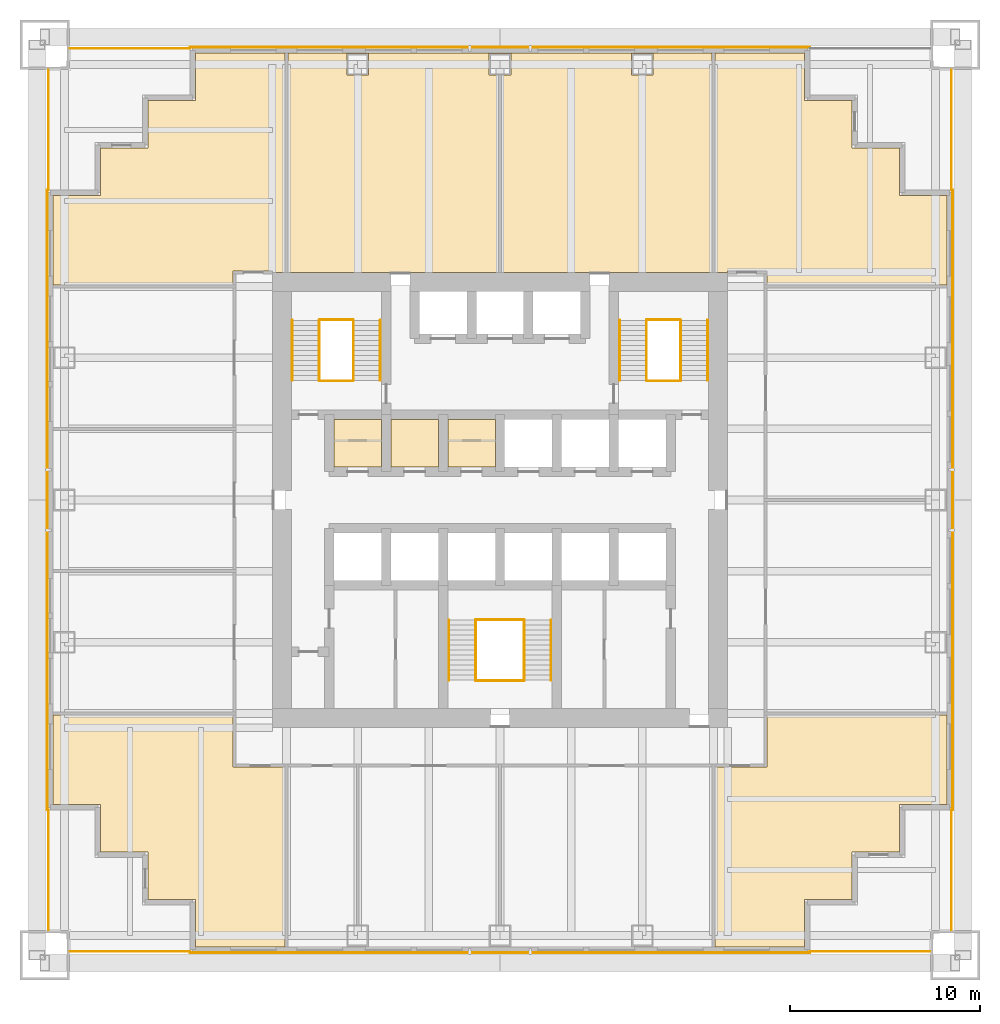
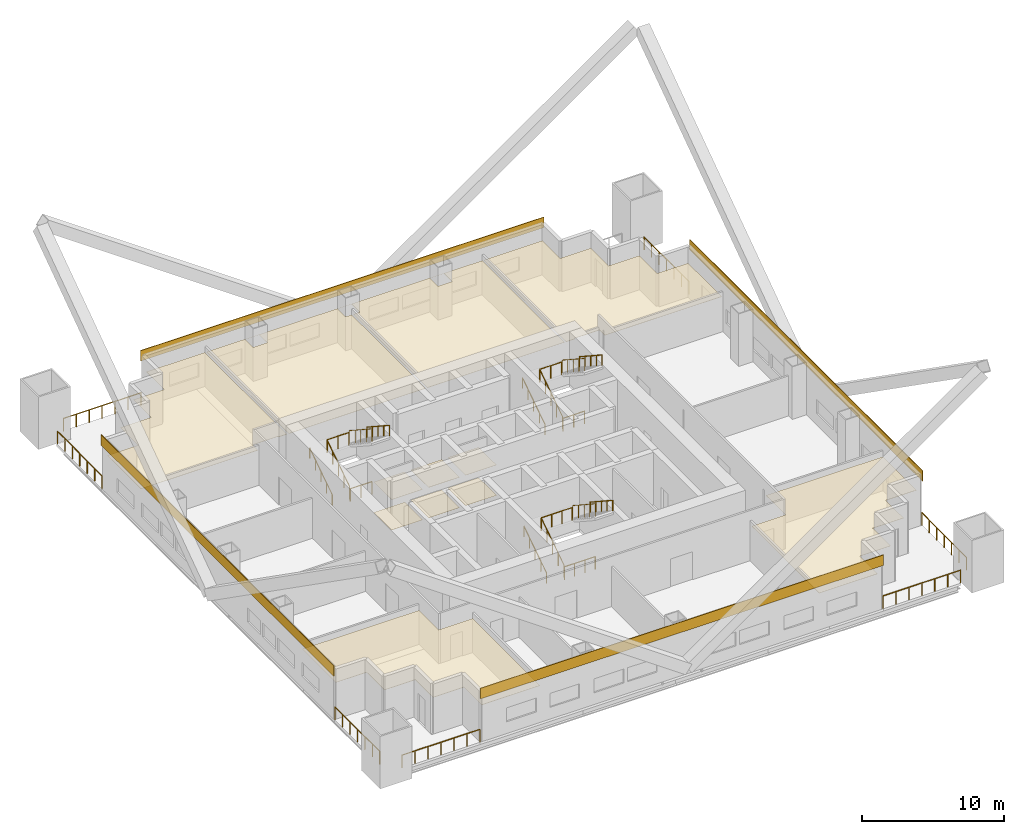
# One storey, part 6 of 7: 25 railings, 16 coverings.
"""IFC4 building model written with IfcOpenShell, lengths in metres."""

from ifc_helpers import new_model, si_unit, direction, frame, origin, origin_2d, place, context, subcontext, project, spatial, polyline, rectangle, circle, outline, extrude, material, layer, layer_set, type_object, element, save


model = new_model("IFC4")

# Units and contexts
model_context = context("Model", 3, precision=1e-05, world=origin(), true_north=direction((0.0, 1.0)))
body_context = subcontext(model_context, "Body", "Model", "MODEL_VIEW")
ifc_project = project(units=[si_unit("LENGTHUNIT", "METRE"), si_unit("AREAUNIT", "SQUARE_METRE"), si_unit("VOLUMEUNIT", "CUBIC_METRE"), si_unit("PLANEANGLEUNIT", "RADIAN"), si_unit("MASSUNIT", "GRAM", prefix="KILO")], contexts=[model_context])

# Site, building, storey
site_placement = place(None, origin())
site = spatial("IfcSite", under=ifc_project, at=site_placement, CompositionType="ELEMENT")
building_placement = place(site_placement, origin())
building = spatial("IfcBuilding", under=site, at=building_placement, Name="Tarangal Relay Tower", CompositionType="ELEMENT")
storey_placement = place(building_placement, frame((0.0, 0.0, 153.89990234375)))
storey = spatial("IfcBuildingStorey", under=building, at=storey_placement, Name="L31", CompositionType="ELEMENT", Elevation=153.89990234375)

# Coverings
ifc_material_1 = material(Name="Anti-static vinyl flooring", Category="plastic")
ifc_layer_1 = layer(ifc_material_1, 0.010009765625)
ifc_layer_set_1 = layer_set([ifc_layer_1], Name="Anti-static vinyl floor")
covering_type_1 = type_object("IfcCoveringType", Name="Anti-static vinyl floor", PredefinedType="FLOORING", material=ifc_layer_set_1)
covering_1_placement = place(storey_placement, origin())
element("IfcCovering", 1, at=covering_1_placement, inside=storey, type_object=covering_type_1, Name="Floor finish FL1 L31-D1", PredefinedType="FLOORING", context=body_context, shape_type="SweptSolid", body=[
    extrude(outline(polyline([(-8.75, 1.75), (-6.25, 1.75), (-6.25, 4.25), (-8.75, 4.25), (-8.75, 1.75)])), origin(), (0.0, 0.0, 1.0), 0.010009765625),
])
covering_2_placement = place(storey_placement, origin())
element("IfcCovering", 2, at=covering_2_placement, inside=storey, type_object=covering_type_1, Name="Floor finish FL1 L31-D2", PredefinedType="FLOORING", context=body_context, shape_type="SweptSolid", body=[
    extrude(outline(polyline([(-5.75, 1.75), (-3.25, 1.75), (-3.25, 4.25), (-5.75, 4.25), (-5.75, 1.75)])), origin(), (0.0, 0.0, 1.0), 0.010009765625),
])
covering_3_placement = place(storey_placement, origin())
element("IfcCovering", 3, at=covering_3_placement, inside=storey, type_object=covering_type_1, Name="Floor finish FL1 L31-D3", PredefinedType="FLOORING", context=body_context, shape_type="SweptSolid", body=[
    extrude(outline(polyline([(-2.75, 1.75), (-0.25, 1.75), (-0.25, 4.25), (-2.75, 4.25), (-2.75, 1.75)])), origin(), (0.0, 0.0, 1.0), 0.010009765625),
])
ifc_material_2 = material(Name="Black anodised aluminium cladding", Category="aluminium")
ifc_layer_2 = layer(ifc_material_2, 0.050048828125)
ifc_layer_set_2 = layer_set([ifc_layer_2], Name="Black metal spandrel band")
covering_type_2 = type_object("IfcCoveringType", Name="Black metal spandrel band", PredefinedType="CLADDING", material=ifc_layer_set_2)
for number, where, z_axis, x_axis, name in (
    (4, (0.0, 23.875, 3.750244140625), (0.0, 0.0, 1.0), (1.0, 0.0, 0.0), "Spandrel band SB1 N L31"),
    (5, (23.875, 0.0, 3.750244140625), (0.0, 0.0, 1.0), (0.0, -1.0, 0.0), "Spandrel band SB1 E L31"),
    (6, (0.0, -23.875, 3.750244140625), (0.0, 0.0, 1.0), (-1.0, 0.0, 0.0), "Spandrel band SB1 S L31"),
    (7, (-23.875, 0.0, 3.750244140625), (0.0, 0.0, 1.0), (0.0, 1.0, 0.0), "Spandrel band SB1 W L31"),
):
    element("IfcCovering", number, at=place(storey_placement, frame(where, z_axis=z_axis, x_axis=x_axis)), inside=storey, type_object=covering_type_2, Name=name, PredefinedType="CLADDING", context=body_context, shape_type="SweptSolid", body=[
        extrude(rectangle(XDim=32.699951171875, YDim=0.050048828125, at=origin_2d()), origin(), (0.0, 0.0, 1.0), 0.89990234375),
    ])

# Railings
ifc_material_3 = material(Name="Steel guard, black finish", Category="steel")
railing_type_1 = type_object("IfcRailingType", Name="Stair guard 1100", PredefinedType="GUARDRAIL", material=ifc_material_3)
railing_1_placement = place(storey_placement, frame((-9.530029296875, 6.300048828125, 0.173095703125)))
element("IfcRailing", 8, at=railing_1_placement, inside=storey, type_object=railing_type_1, Name="Stair ST-A guard GR1 L31 flight 1", PredefinedType="GUARDRAIL", context=body_context, shape_type="SweptSolid", body=[
    extrude(circle(Radius=0.02392578125, at=origin_2d()), frame((0.0, 0.0, 1.076171875), z_axis=(0.0, 0.83629911093, 0.548273469226), x_axis=(-1.0, 0.0, 0.0)), (0.0, 0.0, 1.0), 3.7880859375),
    extrude(circle(Radius=0.02099609375, at=origin_2d()), origin(), (0.0, 0.0, 1.0), 1.052001953125),
    extrude(circle(Radius=0.02099609375, at=origin_2d()), frame((0.0, 0.7919921875, 0.519287109375)), (0.0, 0.0, 1.0), 1.052001953125),
    extrude(circle(Radius=0.02099609375, at=origin_2d()), frame((0.0, 1.583984375, 1.03857421875)), (0.0, 0.0, 1.0), 1.052001953125),
    extrude(circle(Radius=0.02099609375, at=origin_2d()), frame((0.0, 2.3759765625, 1.5576171875)), (0.0, 0.0, 1.0), 1.052001953125),
    extrude(circle(Radius=0.02099609375, at=origin_2d()), frame((0.0, 3.16796875, 2.076904296875)), (0.0, 0.0, 1.0), 1.052001953125),
])
railing_2_placement = place(storey_placement, frame((-7.719970703125, 9.468017578125, 2.423095703125)))
element("IfcRailing", 9, at=railing_2_placement, inside=storey, type_object=railing_type_1, Name="Stair ST-A guard GR1 L31 flight 2", PredefinedType="GUARDRAIL", context=body_context, shape_type="SweptSolid", body=[
    extrude(circle(Radius=0.02392578125, at=origin_2d()), frame((0.0, 0.0, 1.076171875), z_axis=(0.0, -0.83629911093, 0.548273469226), x_axis=(1.0, 0.0, 0.0)), (0.0, 0.0, 1.0), 3.7880859375),
    extrude(circle(Radius=0.02099609375, at=origin_2d()), origin(), (0.0, 0.0, 1.0), 1.052001953125),
    extrude(circle(Radius=0.02099609375, at=origin_2d()), frame((0.0, -0.7919921875, 0.519287109375)), (0.0, 0.0, 1.0), 1.052001953125),
    extrude(circle(Radius=0.02099609375, at=origin_2d()), frame((0.0, -1.583984375, 1.03857421875)), (0.0, 0.0, 1.0), 1.052001953125),
    extrude(circle(Radius=0.02099609375, at=origin_2d()), frame((0.0, -2.3759765625, 1.5576171875)), (0.0, 0.0, 1.0), 1.052001953125),
    extrude(circle(Radius=0.02099609375, at=origin_2d()), frame((0.0, -3.16796875, 2.076904296875)), (0.0, 0.0, 1.0), 1.052001953125),
])
for number, where, name in (
    (10, (-9.5, 6.27001953125, 0.0), "Stair ST-A landing guard GR1 L31"),
    (11, (-9.5, 9.498046875, 2.25), "Stair ST-A landing guard GR1 L31"),
):
    element("IfcRailing", number, at=place(storey_placement, frame(where)), inside=storey, type_object=railing_type_1, Name=name, PredefinedType="GUARDRAIL", context=body_context, shape_type="SweptSolid", body=[
        extrude(circle(Radius=0.02392578125, at=origin_2d()), frame((0.0, 0.0, 1.076171875), z_axis=(1.0, 0.0, 0.0), x_axis=(0.0, 1.0, 0.0)), (0.0, 0.0, 1.0), 1.75),
        extrude(circle(Radius=0.02099609375, at=origin_2d()), origin(), (0.0, 0.0, 1.0), 1.052001953125),
        extrude(circle(Radius=0.02099609375, at=origin_2d()), frame((0.875, 0.0, 0.0)), (0.0, 0.0, 1.0), 1.052001953125),
        extrude(circle(Radius=0.02099609375, at=origin_2d()), frame((1.75, 0.0, 0.0)), (0.0, 0.0, 1.0), 1.052001953125),
    ])
railing_3_placement = place(storey_placement, frame((7.719970703125, 6.300048828125, 0.173095703125)))
element("IfcRailing", 12, at=railing_3_placement, inside=storey, type_object=railing_type_1, Name="Stair ST-B guard GR1 L31 flight 1", PredefinedType="GUARDRAIL", context=body_context, shape_type="SweptSolid", body=[
    extrude(circle(Radius=0.02392578125, at=origin_2d()), frame((0.0, 0.0, 1.076171875), z_axis=(0.0, 0.83629911093, 0.548273469226), x_axis=(-1.0, 0.0, 0.0)), (0.0, 0.0, 1.0), 3.7880859375),
    extrude(circle(Radius=0.02099609375, at=origin_2d()), origin(), (0.0, 0.0, 1.0), 1.052001953125),
    extrude(circle(Radius=0.02099609375, at=origin_2d()), frame((0.0, 0.7919921875, 0.519287109375)), (0.0, 0.0, 1.0), 1.052001953125),
    extrude(circle(Radius=0.02099609375, at=origin_2d()), frame((0.0, 1.583984375, 1.03857421875)), (0.0, 0.0, 1.0), 1.052001953125),
    extrude(circle(Radius=0.02099609375, at=origin_2d()), frame((0.0, 2.3759765625, 1.5576171875)), (0.0, 0.0, 1.0), 1.052001953125),
    extrude(circle(Radius=0.02099609375, at=origin_2d()), frame((0.0, 3.16796875, 2.076904296875)), (0.0, 0.0, 1.0), 1.052001953125),
])
railing_4_placement = place(storey_placement, frame((9.530029296875, 9.468017578125, 2.423095703125)))
element("IfcRailing", 13, at=railing_4_placement, inside=storey, type_object=railing_type_1, Name="Stair ST-B guard GR1 L31 flight 2", PredefinedType="GUARDRAIL", context=body_context, shape_type="SweptSolid", body=[
    extrude(circle(Radius=0.02392578125, at=origin_2d()), frame((0.0, 0.0, 1.076171875), z_axis=(0.0, -0.83629911093, 0.548273469226), x_axis=(1.0, 0.0, 0.0)), (0.0, 0.0, 1.0), 3.7880859375),
    extrude(circle(Radius=0.02099609375, at=origin_2d()), origin(), (0.0, 0.0, 1.0), 1.052001953125),
    extrude(circle(Radius=0.02099609375, at=origin_2d()), frame((0.0, -0.7919921875, 0.519287109375)), (0.0, 0.0, 1.0), 1.052001953125),
    extrude(circle(Radius=0.02099609375, at=origin_2d()), frame((0.0, -1.583984375, 1.03857421875)), (0.0, 0.0, 1.0), 1.052001953125),
    extrude(circle(Radius=0.02099609375, at=origin_2d()), frame((0.0, -2.3759765625, 1.5576171875)), (0.0, 0.0, 1.0), 1.052001953125),
    extrude(circle(Radius=0.02099609375, at=origin_2d()), frame((0.0, -3.16796875, 2.076904296875)), (0.0, 0.0, 1.0), 1.052001953125),
])
for number, where, name in (
    (14, (7.75, 6.27001953125, 0.0), "Stair ST-B landing guard GR1 L31"),
    (15, (7.75, 9.498046875, 2.25), "Stair ST-B landing guard GR1 L31"),
):
    element("IfcRailing", number, at=place(storey_placement, frame(where)), inside=storey, type_object=railing_type_1, Name=name, PredefinedType="GUARDRAIL", context=body_context, shape_type="SweptSolid", body=[
        extrude(circle(Radius=0.02392578125, at=origin_2d()), frame((0.0, 0.0, 1.076171875), z_axis=(1.0, 0.0, 0.0), x_axis=(0.0, 1.0, 0.0)), (0.0, 0.0, 1.0), 1.75),
        extrude(circle(Radius=0.02099609375, at=origin_2d()), origin(), (0.0, 0.0, 1.0), 1.052001953125),
        extrude(circle(Radius=0.02099609375, at=origin_2d()), frame((0.875, 0.0, 0.0)), (0.0, 0.0, 1.0), 1.052001953125),
        extrude(circle(Radius=0.02099609375, at=origin_2d()), frame((1.75, 0.0, 0.0)), (0.0, 0.0, 1.0), 1.052001953125),
    ])
railing_5_placement = place(storey_placement, frame((-1.280029296875, -9.5, 0.173095703125)))
element("IfcRailing", 16, at=railing_5_placement, inside=storey, type_object=railing_type_1, Name="Stair ST-C guard GR1 L31 flight 1", PredefinedType="GUARDRAIL", context=body_context, shape_type="SweptSolid", body=[
    extrude(circle(Radius=0.02392578125, at=origin_2d()), frame((0.0, 0.0, 1.076171875), z_axis=(0.0, 0.83629911093, 0.548273469226), x_axis=(-1.0, 0.0, 0.0)), (0.0, 0.0, 1.0), 3.7880859375),
    extrude(circle(Radius=0.02099609375, at=origin_2d()), origin(), (0.0, 0.0, 1.0), 1.052001953125),
    extrude(circle(Radius=0.02099609375, at=origin_2d()), frame((0.0, 0.7919921875, 0.519287109375)), (0.0, 0.0, 1.0), 1.052001953125),
    extrude(circle(Radius=0.02099609375, at=origin_2d()), frame((0.0, 1.583984375, 1.03857421875)), (0.0, 0.0, 1.0), 1.052001953125),
    extrude(circle(Radius=0.02099609375, at=origin_2d()), frame((0.0, 2.3759765625, 1.5576171875)), (0.0, 0.0, 1.0), 1.052001953125),
    extrude(circle(Radius=0.02099609375, at=origin_2d()), frame((0.0, 3.16796875, 2.076904296875)), (0.0, 0.0, 1.0), 1.052001953125),
])
railing_6_placement = place(storey_placement, frame((1.280029296875, -6.33203125, 2.423095703125)))
element("IfcRailing", 17, at=railing_6_placement, inside=storey, type_object=railing_type_1, Name="Stair ST-C guard GR1 L31 flight 2", PredefinedType="GUARDRAIL", context=body_context, shape_type="SweptSolid", body=[
    extrude(circle(Radius=0.02392578125, at=origin_2d()), frame((0.0, 0.0, 1.076171875), z_axis=(0.0, -0.83629911093, 0.548273469226), x_axis=(1.0, 0.0, 0.0)), (0.0, 0.0, 1.0), 3.7880859375),
    extrude(circle(Radius=0.02099609375, at=origin_2d()), origin(), (0.0, 0.0, 1.0), 1.052001953125),
    extrude(circle(Radius=0.02099609375, at=origin_2d()), frame((0.0, -0.7919921875, 0.519287109375)), (0.0, 0.0, 1.0), 1.052001953125),
    extrude(circle(Radius=0.02099609375, at=origin_2d()), frame((0.0, -1.583984375, 1.03857421875)), (0.0, 0.0, 1.0), 1.052001953125),
    extrude(circle(Radius=0.02099609375, at=origin_2d()), frame((0.0, -2.3759765625, 1.5576171875)), (0.0, 0.0, 1.0), 1.052001953125),
    extrude(circle(Radius=0.02099609375, at=origin_2d()), frame((0.0, -3.16796875, 2.076904296875)), (0.0, 0.0, 1.0), 1.052001953125),
])
for number, where, name in (
    (18, (-1.25, -9.530029296875, 0.0), "Stair ST-C landing guard GR1 L31"),
    (19, (-1.25, -6.302001953125, 2.25), "Stair ST-C landing guard GR1 L31"),
):
    element("IfcRailing", number, at=place(storey_placement, frame(where)), inside=storey, type_object=railing_type_1, Name=name, PredefinedType="GUARDRAIL", context=body_context, shape_type="SweptSolid", body=[
        extrude(circle(Radius=0.02392578125, at=origin_2d()), frame((0.0, 0.0, 1.076171875), z_axis=(1.0, 0.0, 0.0), x_axis=(0.0, 1.0, 0.0)), (0.0, 0.0, 1.0), 2.5),
        extrude(circle(Radius=0.02099609375, at=origin_2d()), origin(), (0.0, 0.0, 1.0), 1.052001953125),
        extrude(circle(Radius=0.02099609375, at=origin_2d()), frame((0.833251953125, 0.0, 0.0)), (0.0, 0.0, 1.0), 1.052001953125),
        extrude(circle(Radius=0.02099609375, at=origin_2d()), frame((1.666748046875, 0.0, 0.0)), (0.0, 0.0, 1.0), 1.052001953125),
        extrude(circle(Radius=0.02099609375, at=origin_2d()), frame((2.5, 0.0, 0.0)), (0.0, 0.0, 1.0), 1.052001953125),
    ])
ifc_material_4 = material(Name="Steel handrail, black finish", Category="steel")
railing_type_2 = type_object("IfcRailingType", Name="Stair handrail 900", PredefinedType="HANDRAIL", material=ifc_material_4)
railing_7_placement = place(storey_placement, frame((-10.93994140625, 6.300048828125, 0.173095703125)))
element("IfcRailing", 20, at=railing_7_placement, inside=storey, type_object=railing_type_2, Name="Stair ST-A handrail HR1 L31 flight 1", PredefinedType="HANDRAIL", context=body_context, shape_type="SweptSolid", body=[
    extrude(circle(Radius=0.02392578125, at=origin_2d()), frame((0.0, 0.0, 0.8759765625), z_axis=(0.0, 0.83629911093, 0.548273469226), x_axis=(-1.0, 0.0, 0.0)), (0.0, 0.0, 1.0), 3.7880859375),
    extrude(circle(Radius=0.02099609375, at=origin_2d()), origin(), (0.0, 0.0, 1.0), 0.851806640625),
    extrude(circle(Radius=0.02099609375, at=origin_2d()), frame((0.0, 0.7919921875, 0.519287109375)), (0.0, 0.0, 1.0), 0.851806640625),
    extrude(circle(Radius=0.02099609375, at=origin_2d()), frame((0.0, 1.583984375, 1.03857421875)), (0.0, 0.0, 1.0), 0.851806640625),
    extrude(circle(Radius=0.02099609375, at=origin_2d()), frame((0.0, 2.3759765625, 1.5576171875)), (0.0, 0.0, 1.0), 0.851806640625),
    extrude(circle(Radius=0.02099609375, at=origin_2d()), frame((0.0, 3.16796875, 2.076904296875)), (0.0, 0.0, 1.0), 0.851806640625),
])
railing_8_placement = place(storey_placement, frame((-6.31005859375, 9.468017578125, 2.423095703125)))
element("IfcRailing", 21, at=railing_8_placement, inside=storey, type_object=railing_type_2, Name="Stair ST-A handrail HR1 L31 flight 2", PredefinedType="HANDRAIL", context=body_context, shape_type="SweptSolid", body=[
    extrude(circle(Radius=0.02392578125, at=origin_2d()), frame((0.0, 0.0, 0.8759765625), z_axis=(0.0, -0.83629911093, 0.548273469226), x_axis=(1.0, 0.0, 0.0)), (0.0, 0.0, 1.0), 3.7880859375),
    extrude(circle(Radius=0.02099609375, at=origin_2d()), origin(), (0.0, 0.0, 1.0), 0.851806640625),
    extrude(circle(Radius=0.02099609375, at=origin_2d()), frame((0.0, -0.7919921875, 0.519287109375)), (0.0, 0.0, 1.0), 0.851806640625),
    extrude(circle(Radius=0.02099609375, at=origin_2d()), frame((0.0, -1.583984375, 1.03857421875)), (0.0, 0.0, 1.0), 0.851806640625),
    extrude(circle(Radius=0.02099609375, at=origin_2d()), frame((0.0, -2.3759765625, 1.5576171875)), (0.0, 0.0, 1.0), 0.851806640625),
    extrude(circle(Radius=0.02099609375, at=origin_2d()), frame((0.0, -3.16796875, 2.076904296875)), (0.0, 0.0, 1.0), 0.851806640625),
])
railing_9_placement = place(storey_placement, frame((6.31005859375, 6.300048828125, 0.173095703125)))
element("IfcRailing", 22, at=railing_9_placement, inside=storey, type_object=railing_type_2, Name="Stair ST-B handrail HR1 L31 flight 1", PredefinedType="HANDRAIL", context=body_context, shape_type="SweptSolid", body=[
    extrude(circle(Radius=0.02392578125, at=origin_2d()), frame((0.0, 0.0, 0.8759765625), z_axis=(0.0, 0.83629911093, 0.548273469226), x_axis=(-1.0, 0.0, 0.0)), (0.0, 0.0, 1.0), 3.7880859375),
    extrude(circle(Radius=0.02099609375, at=origin_2d()), origin(), (0.0, 0.0, 1.0), 0.851806640625),
    extrude(circle(Radius=0.02099609375, at=origin_2d()), frame((0.0, 0.7919921875, 0.519287109375)), (0.0, 0.0, 1.0), 0.851806640625),
    extrude(circle(Radius=0.02099609375, at=origin_2d()), frame((0.0, 1.583984375, 1.03857421875)), (0.0, 0.0, 1.0), 0.851806640625),
    extrude(circle(Radius=0.02099609375, at=origin_2d()), frame((0.0, 2.3759765625, 1.5576171875)), (0.0, 0.0, 1.0), 0.851806640625),
    extrude(circle(Radius=0.02099609375, at=origin_2d()), frame((0.0, 3.16796875, 2.076904296875)), (0.0, 0.0, 1.0), 0.851806640625),
])
railing_10_placement = place(storey_placement, frame((10.93994140625, 9.468017578125, 2.423095703125)))
element("IfcRailing", 23, at=railing_10_placement, inside=storey, type_object=railing_type_2, Name="Stair ST-B handrail HR1 L31 flight 2", PredefinedType="HANDRAIL", context=body_context, shape_type="SweptSolid", body=[
    extrude(circle(Radius=0.02392578125, at=origin_2d()), frame((0.0, 0.0, 0.8759765625), z_axis=(0.0, -0.83629911093, 0.548273469226), x_axis=(1.0, 0.0, 0.0)), (0.0, 0.0, 1.0), 3.7880859375),
    extrude(circle(Radius=0.02099609375, at=origin_2d()), origin(), (0.0, 0.0, 1.0), 0.851806640625),
    extrude(circle(Radius=0.02099609375, at=origin_2d()), frame((0.0, -0.7919921875, 0.519287109375)), (0.0, 0.0, 1.0), 0.851806640625),
    extrude(circle(Radius=0.02099609375, at=origin_2d()), frame((0.0, -1.583984375, 1.03857421875)), (0.0, 0.0, 1.0), 0.851806640625),
    extrude(circle(Radius=0.02099609375, at=origin_2d()), frame((0.0, -2.3759765625, 1.5576171875)), (0.0, 0.0, 1.0), 0.851806640625),
    extrude(circle(Radius=0.02099609375, at=origin_2d()), frame((0.0, -3.16796875, 2.076904296875)), (0.0, 0.0, 1.0), 0.851806640625),
])
railing_11_placement = place(storey_placement, frame((-2.68994140625, -9.5, 0.173095703125)))
element("IfcRailing", 24, at=railing_11_placement, inside=storey, type_object=railing_type_2, Name="Stair ST-C handrail HR1 L31 flight 1", PredefinedType="HANDRAIL", context=body_context, shape_type="SweptSolid", body=[
    extrude(circle(Radius=0.02392578125, at=origin_2d()), frame((0.0, 0.0, 0.8759765625), z_axis=(0.0, 0.83629911093, 0.548273469226), x_axis=(-1.0, 0.0, 0.0)), (0.0, 0.0, 1.0), 3.7880859375),
    extrude(circle(Radius=0.02099609375, at=origin_2d()), origin(), (0.0, 0.0, 1.0), 0.851806640625),
    extrude(circle(Radius=0.02099609375, at=origin_2d()), frame((0.0, 0.7919921875, 0.519287109375)), (0.0, 0.0, 1.0), 0.851806640625),
    extrude(circle(Radius=0.02099609375, at=origin_2d()), frame((0.0, 1.583984375, 1.03857421875)), (0.0, 0.0, 1.0), 0.851806640625),
    extrude(circle(Radius=0.02099609375, at=origin_2d()), frame((0.0, 2.3759765625, 1.5576171875)), (0.0, 0.0, 1.0), 0.851806640625),
    extrude(circle(Radius=0.02099609375, at=origin_2d()), frame((0.0, 3.16796875, 2.076904296875)), (0.0, 0.0, 1.0), 0.851806640625),
])
railing_12_placement = place(storey_placement, frame((2.68994140625, -6.33203125, 2.423095703125)))
element("IfcRailing", 25, at=railing_12_placement, inside=storey, type_object=railing_type_2, Name="Stair ST-C handrail HR1 L31 flight 2", PredefinedType="HANDRAIL", context=body_context, shape_type="SweptSolid", body=[
    extrude(circle(Radius=0.02392578125, at=origin_2d()), frame((0.0, 0.0, 0.8759765625), z_axis=(0.0, -0.83629911093, 0.548273469226), x_axis=(1.0, 0.0, 0.0)), (0.0, 0.0, 1.0), 3.7880859375),
    extrude(circle(Radius=0.02099609375, at=origin_2d()), origin(), (0.0, 0.0, 1.0), 0.851806640625),
    extrude(circle(Radius=0.02099609375, at=origin_2d()), frame((0.0, -0.7919921875, 0.519287109375)), (0.0, 0.0, 1.0), 0.851806640625),
    extrude(circle(Radius=0.02099609375, at=origin_2d()), frame((0.0, -1.583984375, 1.03857421875)), (0.0, 0.0, 1.0), 0.851806640625),
    extrude(circle(Radius=0.02099609375, at=origin_2d()), frame((0.0, -2.3759765625, 1.5576171875)), (0.0, 0.0, 1.0), 0.851806640625),
    extrude(circle(Radius=0.02099609375, at=origin_2d()), frame((0.0, -3.16796875, 2.076904296875)), (0.0, 0.0, 1.0), 0.851806640625),
])

# Coverings
ifc_material_5 = material(Name="Mineral fibre ceiling tiles", Category="gypsum")
ifc_layer_3 = layer(ifc_material_5, 0.02001953125)
ifc_layer_set_3 = layer_set([ifc_layer_3], Name="Suspended ceiling")
covering_type_3 = type_object("IfcCoveringType", Name="Suspended ceiling", PredefinedType="CEILING", material=ifc_layer_set_3)
covering_4_placement = place(storey_placement, frame((0.0, 0.0, 2.60009765625)))
element("IfcCovering", 26, at=covering_4_placement, inside=storey, type_object=covering_type_3, Name="Suspended ceiling CL1 L31-D1", PredefinedType="CEILING", context=body_context, shape_type="SweptSolid", body=[
    extrude(outline(polyline([(-8.75, 1.75), (-6.25, 1.75), (-6.25, 4.25), (-8.75, 4.25), (-8.75, 1.75)])), origin(), (0.0, 0.0, 1.0), 0.02001953125),
])
covering_5_placement = place(storey_placement, frame((0.0, 0.0, 2.60009765625)))
element("IfcCovering", 27, at=covering_5_placement, inside=storey, type_object=covering_type_3, Name="Suspended ceiling CL1 L31-D2", PredefinedType="CEILING", context=body_context, shape_type="SweptSolid", body=[
    extrude(outline(polyline([(-5.75, 1.75), (-3.25, 1.75), (-3.25, 4.25), (-5.75, 4.25), (-5.75, 1.75)])), origin(), (0.0, 0.0, 1.0), 0.02001953125),
])
covering_6_placement = place(storey_placement, frame((0.0, 0.0, 2.60009765625)))
element("IfcCovering", 28, at=covering_6_placement, inside=storey, type_object=covering_type_3, Name="Suspended ceiling CL1 L31-D3", PredefinedType="CEILING", context=body_context, shape_type="SweptSolid", body=[
    extrude(outline(polyline([(-2.75, 1.75), (-0.25, 1.75), (-0.25, 4.25), (-2.75, 4.25), (-2.75, 1.75)])), origin(), (0.0, 0.0, 1.0), 0.02001953125),
])
covering_7_placement = place(storey_placement, frame((0.0, 0.0, 2.900146484375)))
element("IfcCovering", 29, at=covering_7_placement, inside=storey, type_object=covering_type_3, Name="Suspended ceiling CL1 L31-02", PredefinedType="CEILING", context=body_context, shape_type="SweptSolid", body=[
    extrude(outline(polyline([(-0.074951171875, 22.389892578125), (-0.574951171875, 22.389892578125), (-0.574951171875, 23.5400390625), (0.0, 23.5400390625), (0.0, 23.550048828125), (-11.175048828125, 23.550048828125), (-11.175048828125, 12.0), (-0.074951171875, 12.0), (-0.074951171875, 22.389892578125)]), holes=[polyline([(-6.925048828125, 22.389892578125), (-6.925048828125, 23.5400390625), (-8.074951171875, 23.5400390625), (-8.074951171875, 22.389892578125), (-6.925048828125, 22.389892578125)])]), origin(), (0.0, 0.0, 1.0), 0.02001953125),
])
covering_8_placement = place(storey_placement, frame((0.0, 0.0, 2.900146484375)))
element("IfcCovering", 30, at=covering_8_placement, inside=storey, type_object=covering_type_3, Name="Suspended ceiling CL1 L31-03", PredefinedType="CEILING", context=body_context, shape_type="SweptSolid", body=[
    extrude(outline(polyline([(0.074951171875, 12.0), (11.175048828125, 12.0), (11.175048828125, 23.550048828125), (0.0, 23.550048828125), (0.0, 23.5400390625), (0.574951171875, 23.5400390625), (0.574951171875, 22.389892578125), (0.074951171875, 22.389892578125), (0.074951171875, 12.0)]), holes=[polyline([(8.074951171875, 22.389892578125), (8.074951171875, 23.5400390625), (6.925048828125, 23.5400390625), (6.925048828125, 22.389892578125), (8.074951171875, 22.389892578125)])]), origin(), (0.0, 0.0, 1.0), 0.02001953125),
])
covering_9_placement = place(storey_placement, frame((0.0, 0.0, 2.900146484375)))
element("IfcCovering", 31, at=covering_9_placement, inside=storey, type_object=covering_type_3, Name="Suspended ceiling CL1 L31-12", PredefinedType="CEILING", context=body_context, shape_type="SweptSolid", body=[
    extrude(outline(polyline([(11.324951171875, 23.550048828125), (11.324951171875, 12.0), (12.0, 12.0), (12.0, 12.074951171875), (14.074951171875, 12.074951171875), (14.074951171875, 11.324951171875), (23.550048828125, 11.324951171875), (23.550048828125, 16.050048828125), (21.050048828125, 16.050048828125), (21.050048828125, 18.550048828125), (18.550048828125, 18.550048828125), (18.550048828125, 21.050048828125), (16.050048828125, 21.050048828125), (16.050048828125, 23.550048828125), (11.324951171875, 23.550048828125)])), origin(), (0.0, 0.0, 1.0), 0.02001953125),
])
covering_10_placement = place(storey_placement, frame((0.0, 0.0, 2.900146484375)))
element("IfcCovering", 32, at=covering_10_placement, inside=storey, type_object=covering_type_3, Name="Suspended ceiling CL1 L31-13", PredefinedType="CEILING", context=body_context, shape_type="SweptSolid", body=[
    extrude(outline(polyline([(23.550048828125, -16.050048828125), (23.550048828125, -11.324951171875), (14.074951171875, -11.324951171875), (14.074951171875, -14.074951171875), (11.324951171875, -14.074951171875), (11.324951171875, -23.550048828125), (16.050048828125, -23.550048828125), (16.050048828125, -21.050048828125), (18.550048828125, -21.050048828125), (18.550048828125, -18.550048828125), (21.050048828125, -18.550048828125), (21.050048828125, -16.050048828125), (23.550048828125, -16.050048828125)])), origin(), (0.0, 0.0, 1.0), 0.02001953125),
])
covering_11_placement = place(storey_placement, frame((0.0, 0.0, 2.900146484375)))
element("IfcCovering", 33, at=covering_11_placement, inside=storey, type_object=covering_type_3, Name="Suspended ceiling CL1 L31-14", PredefinedType="CEILING", context=body_context, shape_type="SweptSolid", body=[
    extrude(outline(polyline([(-16.050048828125, -21.050048828125), (-16.050048828125, -23.550048828125), (-11.324951171875, -23.550048828125), (-11.324951171875, -14.074951171875), (-14.074951171875, -14.074951171875), (-14.074951171875, -11.324951171875), (-23.550048828125, -11.324951171875), (-23.550048828125, -16.050048828125), (-21.050048828125, -16.050048828125), (-21.050048828125, -18.550048828125), (-18.550048828125, -18.550048828125), (-18.550048828125, -21.050048828125), (-16.050048828125, -21.050048828125)])), origin(), (0.0, 0.0, 1.0), 0.02001953125),
])
covering_12_placement = place(storey_placement, frame((0.0, 0.0, 2.900146484375)))
element("IfcCovering", 34, at=covering_12_placement, inside=storey, type_object=covering_type_3, Name="Suspended ceiling CL1 L31-15", PredefinedType="CEILING", context=body_context, shape_type="SweptSolid", body=[
    extrude(outline(polyline([(-21.050048828125, 16.050048828125), (-23.550048828125, 16.050048828125), (-23.550048828125, 11.324951171875), (-14.074951171875, 11.324951171875), (-14.074951171875, 12.074951171875), (-12.0, 12.074951171875), (-12.0, 12.0), (-11.324951171875, 12.0), (-11.324951171875, 23.550048828125), (-16.050048828125, 23.550048828125), (-16.050048828125, 21.050048828125), (-18.550048828125, 21.050048828125), (-18.550048828125, 18.550048828125), (-21.050048828125, 18.550048828125), (-21.050048828125, 16.050048828125)])), origin(), (0.0, 0.0, 1.0), 0.02001953125),
])

# Railings
ifc_material_6 = material(Name="Black steel guard with glass infill", Category="steel")
railing_type_3 = type_object("IfcRailingType", Name="Terrace guard 1100", PredefinedType="GUARDRAIL", material=ifc_material_6)
for number, where, name in (
    (35, (23.800048828125, 22.64990234375, 0.0), "Terrace guard GR2 NE L31"),
    (36, (23.800048828125, -16.35009765625, 0.0), "Terrace guard GR2 SE L31"),
):
    element("IfcRailing", number, at=place(storey_placement, frame(where)), inside=storey, type_object=railing_type_3, Name=name, PredefinedType="GUARDRAIL", context=body_context, shape_type="SweptSolid", body=[
        extrude(circle(Radius=0.02392578125, at=origin_2d()), frame((0.0, 0.0, 1.076171875), z_axis=(0.0, -1.0, 0.0), x_axis=(1.0, 0.0, 0.0)), (0.0, 0.0, 1.0), 6.2998046875),
        extrude(circle(Radius=0.02099609375, at=origin_2d()), origin(), (0.0, 0.0, 1.0), 1.052001953125),
        extrude(circle(Radius=0.02099609375, at=origin_2d()), frame((0.0, -1.050048828125, 0.0)), (0.0, 0.0, 1.0), 1.052001953125),
        extrude(circle(Radius=0.02099609375, at=origin_2d()), frame((0.0, -2.099853515625, 0.0)), (0.0, 0.0, 1.0), 1.052001953125),
        extrude(circle(Radius=0.02099609375, at=origin_2d()), frame((0.0, -3.14990234375, 0.0)), (0.0, 0.0, 1.0), 1.052001953125),
        extrude(circle(Radius=0.02099609375, at=origin_2d()), frame((0.0, -4.199951171875, 0.0)), (0.0, 0.0, 1.0), 1.052001953125),
        extrude(circle(Radius=0.02099609375, at=origin_2d()), frame((0.0, -5.249755859375, 0.0)), (0.0, 0.0, 1.0), 1.052001953125),
        extrude(circle(Radius=0.02099609375, at=origin_2d()), frame((0.0, -6.2998046875, 0.0)), (0.0, 0.0, 1.0), 1.052001953125),
    ])
for number, where, name in (
    (37, (22.64990234375, -23.800048828125, 0.0), "Terrace guard GR2 SE L31"),
    (38, (-16.35009765625, -23.800048828125, 0.0), "Terrace guard GR2 SW L31"),
):
    element("IfcRailing", number, at=place(storey_placement, frame(where)), inside=storey, type_object=railing_type_3, Name=name, PredefinedType="GUARDRAIL", context=body_context, shape_type="SweptSolid", body=[
        extrude(circle(Radius=0.02392578125, at=origin_2d()), frame((0.0, 0.0, 1.076171875), z_axis=(-1.0, 0.0, 0.0), x_axis=(0.0, -1.0, 0.0)), (0.0, 0.0, 1.0), 6.2998046875),
        extrude(circle(Radius=0.02099609375, at=origin_2d()), origin(), (0.0, 0.0, 1.0), 1.052001953125),
        extrude(circle(Radius=0.02099609375, at=origin_2d()), frame((-1.050048828125, 0.0, 0.0)), (0.0, 0.0, 1.0), 1.052001953125),
        extrude(circle(Radius=0.02099609375, at=origin_2d()), frame((-2.099853515625, 0.0, 0.0)), (0.0, 0.0, 1.0), 1.052001953125),
        extrude(circle(Radius=0.02099609375, at=origin_2d()), frame((-3.14990234375, 0.0, 0.0)), (0.0, 0.0, 1.0), 1.052001953125),
        extrude(circle(Radius=0.02099609375, at=origin_2d()), frame((-4.199951171875, 0.0, 0.0)), (0.0, 0.0, 1.0), 1.052001953125),
        extrude(circle(Radius=0.02099609375, at=origin_2d()), frame((-5.249755859375, 0.0, 0.0)), (0.0, 0.0, 1.0), 1.052001953125),
        extrude(circle(Radius=0.02099609375, at=origin_2d()), frame((-6.2998046875, 0.0, 0.0)), (0.0, 0.0, 1.0), 1.052001953125),
    ])
for number, where, name in (
    (39, (-23.800048828125, -22.64990234375, 0.0), "Terrace guard GR2 SW L31"),
    (40, (-23.800048828125, 16.35009765625, 0.0), "Terrace guard GR2 NW L31"),
):
    element("IfcRailing", number, at=place(storey_placement, frame(where)), inside=storey, type_object=railing_type_3, Name=name, PredefinedType="GUARDRAIL", context=body_context, shape_type="SweptSolid", body=[
        extrude(circle(Radius=0.02392578125, at=origin_2d()), frame((0.0, 0.0, 1.076171875), z_axis=(0.0, 1.0, 0.0), x_axis=(-1.0, 0.0, 0.0)), (0.0, 0.0, 1.0), 6.2998046875),
        extrude(circle(Radius=0.02099609375, at=origin_2d()), origin(), (0.0, 0.0, 1.0), 1.052001953125),
        extrude(circle(Radius=0.02099609375, at=origin_2d()), frame((0.0, 1.050048828125, 0.0)), (0.0, 0.0, 1.0), 1.052001953125),
        extrude(circle(Radius=0.02099609375, at=origin_2d()), frame((0.0, 2.099853515625, 0.0)), (0.0, 0.0, 1.0), 1.052001953125),
        extrude(circle(Radius=0.02099609375, at=origin_2d()), frame((0.0, 3.14990234375, 0.0)), (0.0, 0.0, 1.0), 1.052001953125),
        extrude(circle(Radius=0.02099609375, at=origin_2d()), frame((0.0, 4.199951171875, 0.0)), (0.0, 0.0, 1.0), 1.052001953125),
        extrude(circle(Radius=0.02099609375, at=origin_2d()), frame((0.0, 5.249755859375, 0.0)), (0.0, 0.0, 1.0), 1.052001953125),
        extrude(circle(Radius=0.02099609375, at=origin_2d()), frame((0.0, 6.2998046875, 0.0)), (0.0, 0.0, 1.0), 1.052001953125),
    ])
railing_13_placement = place(storey_placement, frame((-22.64990234375, 23.800048828125, 0.0)))
element("IfcRailing", 41, at=railing_13_placement, inside=storey, type_object=railing_type_3, Name="Terrace guard GR2 NW L31", PredefinedType="GUARDRAIL", context=body_context, shape_type="SweptSolid", body=[
    extrude(circle(Radius=0.02392578125, at=origin_2d()), frame((0.0, 0.0, 1.076171875), z_axis=(1.0, 0.0, 0.0), x_axis=(0.0, 1.0, 0.0)), (0.0, 0.0, 1.0), 6.2998046875),
    extrude(circle(Radius=0.02099609375, at=origin_2d()), origin(), (0.0, 0.0, 1.0), 1.052001953125),
    extrude(circle(Radius=0.02099609375, at=origin_2d()), frame((1.050048828125, 0.0, 0.0)), (0.0, 0.0, 1.0), 1.052001953125),
    extrude(circle(Radius=0.02099609375, at=origin_2d()), frame((2.099853515625, 0.0, 0.0)), (0.0, 0.0, 1.0), 1.052001953125),
    extrude(circle(Radius=0.02099609375, at=origin_2d()), frame((3.14990234375, 0.0, 0.0)), (0.0, 0.0, 1.0), 1.052001953125),
    extrude(circle(Radius=0.02099609375, at=origin_2d()), frame((4.199951171875, 0.0, 0.0)), (0.0, 0.0, 1.0), 1.052001953125),
    extrude(circle(Radius=0.02099609375, at=origin_2d()), frame((5.249755859375, 0.0, 0.0)), (0.0, 0.0, 1.0), 1.052001953125),
    extrude(circle(Radius=0.02099609375, at=origin_2d()), frame((6.2998046875, 0.0, 0.0)), (0.0, 0.0, 1.0), 1.052001953125),
])

save(model, "model.ifc")
